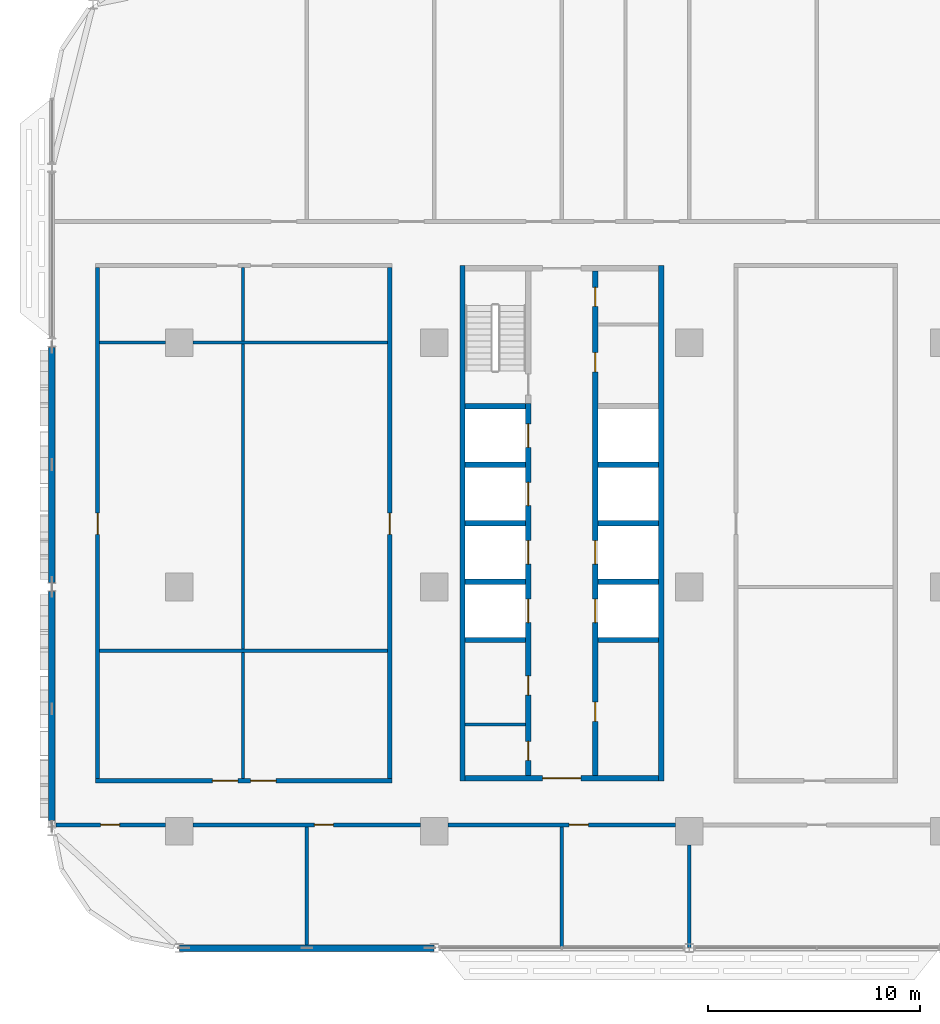
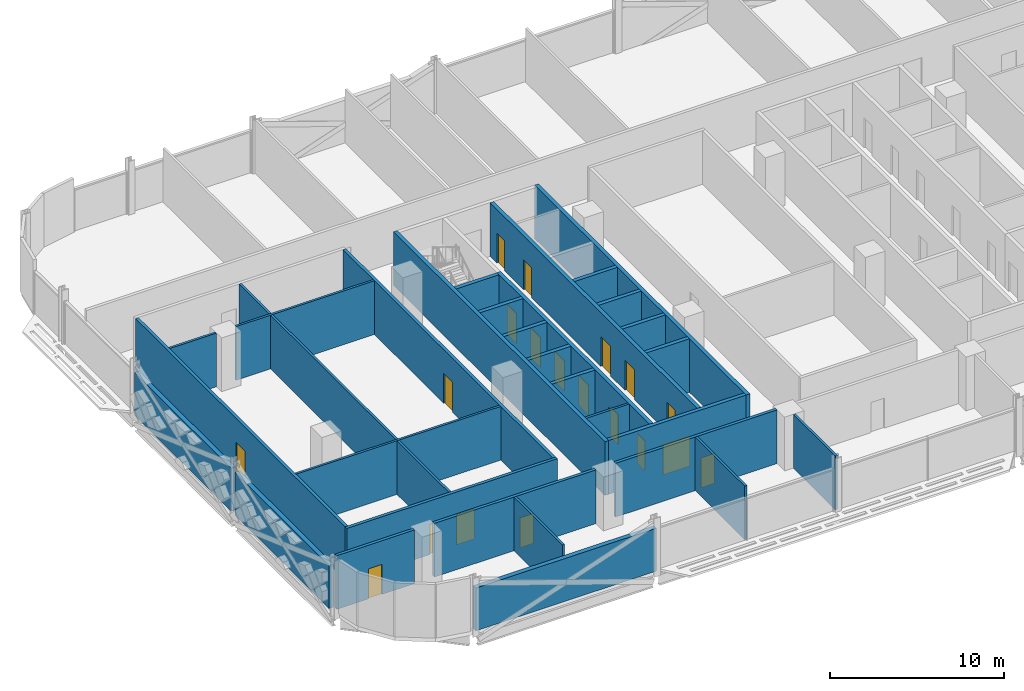
# One storey, part 13 of 28: 31 walls, 19 doors, 19 openings.
"""IFC4 building model written with IfcOpenShell, lengths in metres."""

from ifc_helpers import new_model, si_unit, direction, frame, frame_2d, origin, place, context, subcontext, project, spatial, rectangle, extrude, material, layer, layer_set, type_object, element, fill, save


model = new_model("IFC4")

# Units and contexts
model_context = context("Model", 3, precision=1e-05, world=origin(), true_north=direction((0.0, 1.0)))
body_context = subcontext(model_context, "Body", "Model", "MODEL_VIEW")
ifc_project = project(units=[si_unit("LENGTHUNIT", "METRE"), si_unit("AREAUNIT", "SQUARE_METRE"), si_unit("VOLUMEUNIT", "CUBIC_METRE"), si_unit("PLANEANGLEUNIT", "RADIAN"), si_unit("MASSUNIT", "GRAM", prefix="KILO")], contexts=[model_context])

# Site, building, storey
site_placement = place(None, origin())
site = spatial("IfcSite", under=ifc_project, at=site_placement, CompositionType="ELEMENT")
building_placement = place(site_placement, origin())
building = spatial("IfcBuilding", under=site, at=building_placement, Name="Mahtab Terrace Research Tower", CompositionType="ELEMENT")
storey_placement = place(building_placement, frame((0.0, 0.0, 134.300048828125)))
storey = spatial("IfcBuildingStorey", under=building, at=storey_placement, Name="L31", CompositionType="ELEMENT", Elevation=134.300048828125)

# Walls
ifc_material_1 = material(Name="Gypsum board partition")
ifc_layer_1 = layer(ifc_material_1, 0.14990234375)
ifc_layer_set_1 = layer_set([ifc_layer_1], Name="Core partition 150")
wall_type_1 = type_object("IfcWallType", Name="Core partition 150", PredefinedType="PARTITIONING", material=ifc_layer_set_1)
wall_1_placement = place(storey_placement, frame((-28.550048828125, -6.47509765625, 0.0), z_axis=(0.0, 0.0, 1.0), x_axis=(1.0, 0.0, 0.0)))
element("IfcWall", 1, at=wall_1_placement, inside=storey, type_object=wall_type_1, Name="Core wall A pWS-948", PredefinedType="PARTITIONING", context=body_context, shape_type="SweptSolid", body=[
    extrude(rectangle(XDim=2.85009765625, YDim=0.14990234375, at=frame_2d((1.425048828125, 0.0))), origin(), (0.0, 0.0, 1.0), 3.760009765625),
])
ifc_material_2 = material(Name="Concrete C70/85", Category="concrete")
ifc_layer_2 = layer(ifc_material_2, 0.25)
ifc_layer_set_2 = layer_set([ifc_layer_2], Name="Core wall 250")
wall_type_2 = type_object("IfcWallType", Name="Core wall 250", PredefinedType="SOLIDWALL", material=ifc_layer_set_2)
for number, where, z_axis, x_axis, name in (
    (2, (-28.675048828125, 15.125, 0.0), (0.0, 0.0, 1.0), (0.0, -1.0, 0.0), "Core wall A outerW"),
    (3, (-19.324951171875, -9.125, 0.0), (0.0, 0.0, 1.0), (0.0, 1.0, 0.0), "Core wall A outerE"),
):
    element("IfcWall", number, at=place(storey_placement, frame(where, z_axis=z_axis, x_axis=x_axis)), inside=storey, type_object=wall_type_2, Name=name, PredefinedType="SOLIDWALL", context=body_context, shape_type="SweptSolid", body=[
        extrude(rectangle(XDim=24.25, YDim=0.25, at=frame_2d((12.125, 0.0))), origin(), (0.0, 0.0, 1.0), 3.760009765625),
    ])

# Wall, opening, door
wall_2_placement = place(storey_placement, frame((-19.449951171875, -9.0, 0.0), z_axis=(0.0, 0.0, 1.0), x_axis=(-1.0, 0.0, 0.0)))
wall_2 = element("IfcWall", 4, at=wall_2_placement, inside=storey, type_object=wall_type_2, Name="Core wall A endS", PredefinedType="SOLIDWALL", context=body_context, shape_type="SweptSolid", body=[
    extrude(rectangle(XDim=9.10009765625, YDim=0.25, at=frame_2d((4.550048828125, 0.0))), origin(), (0.0, 0.0, 1.0), 3.760009765625),
])
opening_1_placement = place(wall_2_placement, frame((3.64990234375, 0.0, 0.0)))
opening_1 = element("IfcOpeningElement", 5, at=opening_1_placement, cuts=wall_2, Name="Opening A-S1", PredefinedType="OPENING", context=body_context, shape_type="SweptSolid", body=[
    extrude(rectangle(XDim=1.800048828125, YDim=2.10009765625, at=frame_2d((0.89990234375, 1.050048828125))), frame((0.0, 0.135009765625, 0.0), z_axis=(0.0, -1.0, 0.0), x_axis=(1.0, 0.0, 0.0)), (0.0, 0.0, 1.0), 0.27001953125),
])
ifc_material_3 = material(Name="Steel fire door", Category="steel")
door_type_1 = type_object("IfcDoorType", Name="Lobby double door 1800x2100 1 HR", OperationType="DOUBLE_DOOR_SINGLE_SWING", PredefinedType="DOOR", material=ifc_material_3)
door_1_placement = place(opening_1_placement, origin())
door_1 = element("IfcDoor", 6, at=door_1_placement, inside=storey, type_object=door_type_1, Name="Core entrance door A S", OperationType="DOUBLE_DOOR_SINGLE_SWING", OverallHeight=2.10009765625, OverallWidth=1.800048828125, PredefinedType="DOOR", context=body_context, shape_type="SweptSolid", body=[
    extrude(rectangle(XDim=1.800048828125, YDim=2.10009765625, at=frame_2d((0.89990234375, 1.050048828125))), frame((0.0, 0.02490234375, 0.0), z_axis=(0.0, -1.0, 0.0), x_axis=(1.0, 0.0, 0.0)), (0.0, 0.0, 1.0), 0.050048828125),
])
fill(opening_1, door_1)

# Wall, openings, doors
wall_3_placement = place(storey_placement, frame((-25.574951171875, -8.875, 0.0), z_axis=(0.0, 0.0, 1.0), x_axis=(0.0, 1.0, 0.0)))
wall_3 = element("IfcWall", 7, at=wall_3_placement, inside=storey, type_object=wall_type_2, Name="Core wall A innerWSL", PredefinedType="SOLIDWALL", context=body_context, shape_type="SweptSolid", body=[
    extrude(rectangle(XDim=17.5, YDim=0.25, at=frame_2d((8.75, 0.0))), origin(), (0.0, 0.0, 1.0), 3.760009765625),
])
opening_2_placement = place(wall_3_placement, frame((7.199951171875, 0.0, 0.0)))
opening_2 = element("IfcOpeningElement", 8, at=opening_2_placement, cuts=wall_3, Name="Opening LD01-L31", PredefinedType="OPENING", context=body_context, shape_type="SweptSolid", body=[
    extrude(rectangle(XDim=1.10009765625, YDim=2.10009765625, at=frame_2d((0.550048828125, 1.050048828125))), frame((0.0, 0.135009765625, 0.0), z_axis=(0.0, -1.0, 0.0), x_axis=(1.0, 0.0, 0.0)), (0.0, 0.0, 1.0), 0.27001953125),
])
opening_3_placement = place(wall_3_placement, frame((9.949951171875, 0.0, 0.0)))
opening_3 = element("IfcOpeningElement", 9, at=opening_3_placement, cuts=wall_3, Name="Opening LD02-L31", PredefinedType="OPENING", context=body_context, shape_type="SweptSolid", body=[
    extrude(rectangle(XDim=1.10009765625, YDim=2.10009765625, at=frame_2d((0.550048828125, 1.050048828125))), frame((0.0, 0.135009765625, 0.0), z_axis=(0.0, -1.0, 0.0), x_axis=(1.0, 0.0, 0.0)), (0.0, 0.0, 1.0), 0.27001953125),
])
opening_4_placement = place(wall_3_placement, frame((12.699951171875, 0.0, 0.0)))
opening_4 = element("IfcOpeningElement", 10, at=opening_4_placement, cuts=wall_3, Name="Opening LD03-L31", PredefinedType="OPENING", context=body_context, shape_type="SweptSolid", body=[
    extrude(rectangle(XDim=1.10009765625, YDim=2.10009765625, at=frame_2d((0.550048828125, 1.050048828125))), frame((0.0, 0.135009765625, 0.0), z_axis=(0.0, -1.0, 0.0), x_axis=(1.0, 0.0, 0.0)), (0.0, 0.0, 1.0), 0.27001953125),
])
opening_5_placement = place(wall_3_placement, frame((15.449951171875, 0.0, 0.0)))
opening_5 = element("IfcOpeningElement", 11, at=opening_5_placement, cuts=wall_3, Name="Opening LD04-L31", PredefinedType="OPENING", context=body_context, shape_type="SweptSolid", body=[
    extrude(rectangle(XDim=1.10009765625, YDim=2.10009765625, at=frame_2d((0.550048828125, 1.050048828125))), frame((0.0, 0.135009765625, 0.0), z_axis=(0.0, -1.0, 0.0), x_axis=(1.0, 0.0, 0.0)), (0.0, 0.0, 1.0), 0.27001953125),
])
opening_6_placement = place(wall_3_placement, frame((0.71240234375, 0.0, 0.0)))
opening_6 = element("IfcOpeningElement", 12, at=opening_6_placement, cuts=wall_3, Name="Opening A-R1", PredefinedType="OPENING", context=body_context, shape_type="SweptSolid", body=[
    extrude(rectangle(XDim=0.89990234375, YDim=2.10009765625, at=frame_2d((0.449951171875, 1.050048828125))), frame((0.0, 0.135009765625, 0.0), z_axis=(0.0, -1.0, 0.0), x_axis=(1.0, 0.0, 0.0)), (0.0, 0.0, 1.0), 0.27001953125),
])
opening_7_placement = place(wall_3_placement, frame((3.78759765625, 0.0, 0.0)))
opening_7 = element("IfcOpeningElement", 13, at=opening_7_placement, cuts=wall_3, Name="Opening A-R2", PredefinedType="OPENING", context=body_context, shape_type="SweptSolid", body=[
    extrude(rectangle(XDim=0.89990234375, YDim=2.10009765625, at=frame_2d((0.449951171875, 1.050048828125))), frame((0.0, 0.135009765625, 0.0), z_axis=(0.0, -1.0, 0.0), x_axis=(1.0, 0.0, 0.0)), (0.0, 0.0, 1.0), 0.27001953125),
])
ifc_material_4 = material(Name="Stainless steel AISI 304", Category="steel")
door_type_2 = type_object("IfcDoorType", Name="Landing door 1100x2100", OperationType="DOUBLE_DOOR_SLIDING", PredefinedType="DOOR", material=ifc_material_4)
door_2_placement = place(opening_2_placement, origin())
door_2 = element("IfcDoor", 14, at=door_2_placement, inside=storey, type_object=door_type_2, Name="Landing door LR1 L31", OperationType="DOUBLE_DOOR_SLIDING", OverallHeight=2.10009765625, OverallWidth=1.10009765625, PredefinedType="DOOR", context=body_context, shape_type="SweptSolid", body=[
    extrude(rectangle(XDim=1.10009765625, YDim=2.10009765625, at=frame_2d((0.550048828125, 1.050048828125))), frame((0.0, 0.02490234375, 0.0), z_axis=(0.0, -1.0, 0.0), x_axis=(1.0, 0.0, 0.0)), (0.0, 0.0, 1.0), 0.050048828125),
])
fill(opening_2, door_2)
door_3_placement = place(opening_3_placement, origin())
door_3 = element("IfcDoor", 15, at=door_3_placement, inside=storey, type_object=door_type_2, Name="Landing door LR2 L31", OperationType="DOUBLE_DOOR_SLIDING", OverallHeight=2.10009765625, OverallWidth=1.10009765625, PredefinedType="DOOR", context=body_context, shape_type="SweptSolid", body=[
    extrude(rectangle(XDim=1.10009765625, YDim=2.10009765625, at=frame_2d((0.550048828125, 1.050048828125))), frame((0.0, 0.02490234375, 0.0), z_axis=(0.0, -1.0, 0.0), x_axis=(1.0, 0.0, 0.0)), (0.0, 0.0, 1.0), 0.050048828125),
])
fill(opening_3, door_3)
door_4_placement = place(opening_4_placement, origin())
door_4 = element("IfcDoor", 16, at=door_4_placement, inside=storey, type_object=door_type_2, Name="Landing door LR3 L31", OperationType="DOUBLE_DOOR_SLIDING", OverallHeight=2.10009765625, OverallWidth=1.10009765625, PredefinedType="DOOR", context=body_context, shape_type="SweptSolid", body=[
    extrude(rectangle(XDim=1.10009765625, YDim=2.10009765625, at=frame_2d((0.550048828125, 1.050048828125))), frame((0.0, 0.02490234375, 0.0), z_axis=(0.0, -1.0, 0.0), x_axis=(1.0, 0.0, 0.0)), (0.0, 0.0, 1.0), 0.050048828125),
])
fill(opening_4, door_4)
door_5_placement = place(opening_5_placement, origin())
door_5 = element("IfcDoor", 17, at=door_5_placement, inside=storey, type_object=door_type_2, Name="Landing door LR4 L31", OperationType="DOUBLE_DOOR_SLIDING", OverallHeight=2.10009765625, OverallWidth=1.10009765625, PredefinedType="DOOR", context=body_context, shape_type="SweptSolid", body=[
    extrude(rectangle(XDim=1.10009765625, YDim=2.10009765625, at=frame_2d((0.550048828125, 1.050048828125))), frame((0.0, 0.02490234375, 0.0), z_axis=(0.0, -1.0, 0.0), x_axis=(1.0, 0.0, 0.0)), (0.0, 0.0, 1.0), 0.050048828125),
])
fill(opening_5, door_5)
door_type_3 = type_object("IfcDoorType", Name="Room door 900x2100 1 HR", OperationType="NOTDEFINED", PredefinedType="DOOR", material=ifc_material_3)
door_6_placement = place(opening_6_placement, origin())
door_6 = element("IfcDoor", 18, at=door_6_placement, inside=storey, type_object=door_type_3, Name="Accessible WC door", OperationType="SINGLE_SWING_LEFT", OverallHeight=2.10009765625, OverallWidth=0.89990234375, PredefinedType="DOOR", context=body_context, shape_type="SweptSolid", body=[
    extrude(rectangle(XDim=0.89990234375, YDim=2.10009765625, at=frame_2d((0.449951171875, 1.050048828125))), frame((0.0, 0.02490234375, 0.0), z_axis=(0.0, -1.0, 0.0), x_axis=(1.0, 0.0, 0.0)), (0.0, 0.0, 1.0), 0.050048828125),
])
fill(opening_6, door_6)
door_7_placement = place(opening_7_placement, origin())
door_7 = element("IfcDoor", 19, at=door_7_placement, inside=storey, type_object=door_type_3, Name="WC block door", OperationType="SINGLE_SWING_RIGHT", OverallHeight=2.10009765625, OverallWidth=0.89990234375, PredefinedType="DOOR", context=body_context, shape_type="SweptSolid", body=[
    extrude(rectangle(XDim=0.89990234375, YDim=2.10009765625, at=frame_2d((0.449951171875, 1.050048828125))), frame((0.0, 0.02490234375, 0.0), z_axis=(0.0, -1.0, 0.0), x_axis=(1.0, 0.0, 0.0)), (0.0, 0.0, 1.0), 0.050048828125),
])
fill(opening_7, door_7)

wall_4_placement = place(storey_placement, frame((-22.425048828125, 14.875, 0.0), z_axis=(0.0, 0.0, 1.0), x_axis=(0.0, -1.0, 0.0)))
wall_4 = element("IfcWall", 20, at=wall_4_placement, inside=storey, type_object=wall_type_2, Name="Core wall A innerESLN", PredefinedType="SOLIDWALL", context=body_context, shape_type="SweptSolid", body=[
    extrude(rectangle(XDim=23.75, YDim=0.25, at=frame_2d((11.875, 0.0))), origin(), (0.0, 0.0, 1.0), 3.760009765625),
])
opening_8_placement = place(wall_4_placement, frame((15.449951171875, 0.0, 0.0)))
opening_8 = element("IfcOpeningElement", 21, at=opening_8_placement, cuts=wall_4, Name="Opening LD05-L31", PredefinedType="OPENING", context=body_context, shape_type="SweptSolid", body=[
    extrude(rectangle(XDim=1.10009765625, YDim=2.10009765625, at=frame_2d((0.550048828125, 1.050048828125))), frame((0.0, 0.135009765625, 0.0), z_axis=(0.0, -1.0, 0.0), x_axis=(1.0, 0.0, 0.0)), (0.0, 0.0, 1.0), 0.27001953125),
])
opening_9_placement = place(wall_4_placement, frame((12.699951171875, 0.0, 0.0)))
opening_9 = element("IfcOpeningElement", 22, at=opening_9_placement, cuts=wall_4, Name="Opening LD06-L31", PredefinedType="OPENING", context=body_context, shape_type="SweptSolid", body=[
    extrude(rectangle(XDim=1.10009765625, YDim=2.10009765625, at=frame_2d((0.550048828125, 1.050048828125))), frame((0.0, 0.135009765625, 0.0), z_axis=(0.0, -1.0, 0.0), x_axis=(1.0, 0.0, 0.0)), (0.0, 0.0, 1.0), 0.27001953125),
])
opening_10_placement = place(wall_4_placement, frame((20.300048828125, 0.0, 0.0)))
opening_10 = element("IfcOpeningElement", 23, at=opening_10_placement, cuts=wall_4, Name="Opening A-R3", PredefinedType="OPENING", context=body_context, shape_type="SweptSolid", body=[
    extrude(rectangle(XDim=0.89990234375, YDim=2.10009765625, at=frame_2d((0.449951171875, 1.050048828125))), frame((0.0, 0.135009765625, 0.0), z_axis=(0.0, -1.0, 0.0), x_axis=(1.0, 0.0, 0.0)), (0.0, 0.0, 1.0), 0.27001953125),
])
opening_11_placement = place(wall_4_placement, frame((3.847412109375, 0.0, 0.0)))
opening_11 = element("IfcOpeningElement", 24, at=opening_11_placement, cuts=wall_4, Name="Opening A-R4", PredefinedType="OPENING", context=body_context, shape_type="SweptSolid", body=[
    extrude(rectangle(XDim=0.89990234375, YDim=2.10009765625, at=frame_2d((0.449951171875, 1.050048828125))), frame((0.0, 0.135009765625, 0.0), z_axis=(0.0, -1.0, 0.0), x_axis=(1.0, 0.0, 0.0)), (0.0, 0.0, 1.0), 0.27001953125),
])
opening_12_placement = place(wall_4_placement, frame((0.7724609375, 0.0, 0.0)))
opening_12 = element("IfcOpeningElement", 25, at=opening_12_placement, cuts=wall_4, Name="Opening A-R5", PredefinedType="OPENING", context=body_context, shape_type="SweptSolid", body=[
    extrude(rectangle(XDim=0.89990234375, YDim=2.10009765625, at=frame_2d((0.449951171875, 1.050048828125))), frame((0.0, 0.135009765625, 0.0), z_axis=(0.0, -1.0, 0.0), x_axis=(1.0, 0.0, 0.0)), (0.0, 0.0, 1.0), 0.27001953125),
])
door_8_placement = place(opening_8_placement, origin())
door_8 = element("IfcDoor", 26, at=door_8_placement, inside=storey, type_object=door_type_2, Name="Landing door LR5 L31", OperationType="DOUBLE_DOOR_SLIDING", OverallHeight=2.10009765625, OverallWidth=1.10009765625, PredefinedType="DOOR", context=body_context, shape_type="SweptSolid", body=[
    extrude(rectangle(XDim=1.10009765625, YDim=2.10009765625, at=frame_2d((0.550048828125, 1.050048828125))), frame((0.0, 0.02490234375, 0.0), z_axis=(0.0, -1.0, 0.0), x_axis=(1.0, 0.0, 0.0)), (0.0, 0.0, 1.0), 0.050048828125),
])
fill(opening_8, door_8)
door_9_placement = place(opening_9_placement, origin())
door_9 = element("IfcDoor", 27, at=door_9_placement, inside=storey, type_object=door_type_2, Name="Landing door LR6 L31", OperationType="DOUBLE_DOOR_SLIDING", OverallHeight=2.10009765625, OverallWidth=1.10009765625, PredefinedType="DOOR", context=body_context, shape_type="SweptSolid", body=[
    extrude(rectangle(XDim=1.10009765625, YDim=2.10009765625, at=frame_2d((0.550048828125, 1.050048828125))), frame((0.0, 0.02490234375, 0.0), z_axis=(0.0, -1.0, 0.0), x_axis=(1.0, 0.0, 0.0)), (0.0, 0.0, 1.0), 0.050048828125),
])
fill(opening_9, door_9)
door_10_placement = place(opening_10_placement, origin())
door_10 = element("IfcDoor", 28, at=door_10_placement, inside=storey, type_object=door_type_3, Name="Gas cylinder store door", OperationType="SINGLE_SWING_LEFT", OverallHeight=2.10009765625, OverallWidth=0.89990234375, PredefinedType="DOOR", context=body_context, shape_type="SweptSolid", body=[
    extrude(rectangle(XDim=0.89990234375, YDim=2.10009765625, at=frame_2d((0.449951171875, 1.050048828125))), frame((0.0, 0.02490234375, 0.0), z_axis=(0.0, -1.0, 0.0), x_axis=(1.0, 0.0, 0.0)), (0.0, 0.0, 1.0), 0.050048828125),
])
fill(opening_10, door_10)
door_11_placement = place(opening_11_placement, origin())
door_11 = element("IfcDoor", 29, at=door_11_placement, inside=storey, type_object=door_type_3, Name="Pantry door", OperationType="SINGLE_SWING_RIGHT", OverallHeight=2.10009765625, OverallWidth=0.89990234375, PredefinedType="DOOR", context=body_context, shape_type="SweptSolid", body=[
    extrude(rectangle(XDim=0.89990234375, YDim=2.10009765625, at=frame_2d((0.449951171875, 1.050048828125))), frame((0.0, 0.02490234375, 0.0), z_axis=(0.0, -1.0, 0.0), x_axis=(1.0, 0.0, 0.0)), (0.0, 0.0, 1.0), 0.050048828125),
])
fill(opening_11, door_11)
door_12_placement = place(opening_12_placement, origin())
door_12 = element("IfcDoor", 30, at=door_12_placement, inside=storey, type_object=door_type_3, Name="Linen store door", OperationType="SINGLE_SWING_LEFT", OverallHeight=2.10009765625, OverallWidth=0.89990234375, PredefinedType="DOOR", context=body_context, shape_type="SweptSolid", body=[
    extrude(rectangle(XDim=0.89990234375, YDim=2.10009765625, at=frame_2d((0.449951171875, 1.050048828125))), frame((0.0, 0.02490234375, 0.0), z_axis=(0.0, -1.0, 0.0), x_axis=(1.0, 0.0, 0.0)), (0.0, 0.0, 1.0), 0.050048828125),
])
fill(opening_12, door_12)

# Walls
for number, where, z_axis, x_axis, name in (
    (31, (-28.550048828125, -2.5, 0.0), (0.0, 0.0, 1.0), (1.0, 0.0, 0.0), "Core wall A divW0"),
    (32, (-28.550048828125, 0.25, 0.0), (0.0, 0.0, 1.0), (1.0, 0.0, 0.0), "Core wall A divW1"),
    (33, (-28.550048828125, 3.0, 0.0), (0.0, 0.0, 1.0), (1.0, 0.0, 0.0), "Core wall A divW2"),
    (34, (-28.550048828125, 5.75, 0.0), (0.0, 0.0, 1.0), (1.0, 0.0, 0.0), "Core wall A divW3"),
    (35, (-28.550048828125, 8.5, 0.0), (0.0, 0.0, 1.0), (1.0, 0.0, 0.0), "Core wall A divW4"),
    (36, (-22.300048828125, -2.5, 0.0), (0.0, 0.0, 1.0), (1.0, 0.0, 0.0), "Core wall A divE0"),
    (37, (-22.300048828125, 0.25, 0.0), (0.0, 0.0, 1.0), (1.0, 0.0, 0.0), "Core wall A divE1"),
    (38, (-22.300048828125, 3.0, 0.0), (0.0, 0.0, 1.0), (1.0, 0.0, 0.0), "Core wall A divE2"),
    (39, (-22.300048828125, 5.75, 0.0), (0.0, 0.0, 1.0), (1.0, 0.0, 0.0), "Core wall A divE3"),
):
    element("IfcWall", number, at=place(storey_placement, frame(where, z_axis=z_axis, x_axis=x_axis)), inside=storey, type_object=wall_type_2, Name=name, PredefinedType="SOLIDWALL", context=body_context, shape_type="SweptSolid", body=[
        extrude(rectangle(XDim=2.85009765625, YDim=0.25, at=frame_2d((1.425048828125, 0.0))), origin(), (0.0, 0.0, 1.0), 3.760009765625),
    ])
ifc_material_5 = material(Name="Black aluminium cladding panel", Category="aluminium")
ifc_layer_3 = layer(ifc_material_5, 0.300048828125)
ifc_layer_set_3 = layer_set([ifc_layer_3], Name="Opaque facade wall 300")
wall_type_3 = type_object("IfcWallType", Name="Opaque facade wall 300", PredefinedType="NOTDEFINED", material=ifc_layer_set_3)
wall_5_placement = place(storey_placement, frame((-48.0, 11.281982421875, 0.0), z_axis=(0.0, 0.0, 1.0), x_axis=(0.0, -1.0, 0.0)))
element("IfcWall", 40, at=wall_5_placement, inside=storey, type_object=wall_type_3, Name="Opaque facade wall L31 W17", PredefinedType="NOTDEFINED", context=body_context, shape_type="SweptSolid", body=[
    extrude(rectangle(XDim=11.06396484375, YDim=0.300048828125, at=frame_2d((5.531982421875, 0.0))), origin(), (0.0, 0.0, 1.0), 3.0029296875),
])
wall_6_placement = place(storey_placement, frame((-48.0, -0.218017578125, 0.0), z_axis=(0.0, 0.0, 1.0), x_axis=(0.0, -1.0, 0.0)))
element("IfcWall", 41, at=wall_6_placement, inside=storey, type_object=wall_type_3, Name="Opaque facade wall L31 W18", PredefinedType="NOTDEFINED", context=body_context, shape_type="SweptSolid", body=[
    extrude(rectangle(XDim=10.781982421875, YDim=0.300048828125, at=frame_2d((5.39111328125, 0.0))), origin(), (0.0, 0.0, 1.0), 3.0029296875),
])
wall_7_placement = place(storey_placement, frame((-41.982177734375, -17.0, 0.0), z_axis=(0.0, 0.0, 1.0), x_axis=(1.0, 0.0, 0.0)))
element("IfcWall", 42, at=wall_7_placement, inside=storey, type_object=wall_type_3, Name="Opaque facade wall L31 S24", PredefinedType="NOTDEFINED", context=body_context, shape_type="SweptSolid", body=[
    extrude(rectangle(XDim=11.96435546875, YDim=0.300048828125, at=frame_2d((5.982177734375, 0.0))), origin(), (0.0, 0.0, 1.0), 3.0029296875),
])

# Wall, opening, door
ifc_material_6 = material(Name="Gypsum board corridor wall on steel studs", Category="steel")
ifc_layer_4 = layer(ifc_material_6, 0.199951171875)
ifc_layer_set_4 = layer_set([ifc_layer_4], Name="WALL CORRIDOR 200")
wall_type_4 = type_object("IfcWallType", Name="WALL CORRIDOR 200", PredefinedType="PARTITIONING", material=ifc_layer_set_4)
wall_8_placement = place(storey_placement, frame((-47.807373046875, -11.199951171875, 0.0), z_axis=(0.0, 0.0, 1.0), x_axis=(1.0, 0.0, 0.0)))
wall_8 = element("IfcWall", 43, at=wall_8_placement, inside=storey, type_object=wall_type_4, Name="L31-W001", PredefinedType="PARTITIONING", context=body_context, shape_type="SweptSolid", body=[
    extrude(rectangle(XDim=5.157470703125, YDim=0.199951171875, at=frame_2d((2.57861328125, 0.0))), origin(), (0.0, 0.0, 1.0), 3.760009765625),
])
opening_13_placement = place(wall_8_placement, frame((2.10009765625, 0.0, 0.0)))
opening_13 = element("IfcOpeningElement", 44, at=opening_13_placement, cuts=wall_8, Name="Opening L31-101", PredefinedType="OPENING", context=body_context, shape_type="SweptSolid", body=[
    extrude(rectangle(XDim=0.89990234375, YDim=2.10009765625, at=frame_2d((0.449951171875, 1.050048828125))), frame((0.0, 0.10986328125, 0.0), z_axis=(0.0, -1.0, 0.0), x_axis=(1.0, 0.0, 0.0)), (0.0, 0.0, 1.0), 0.219970703125),
])
ifc_material_7 = material(Name="Timber door leaf in steel frame", Category="steel")
door_type_4 = type_object("IfcDoorType", Name="DOOR 0900X2100 FD30S", OperationType="SINGLE_SWING_LEFT", PredefinedType="DOOR", material=ifc_material_7)
door_13_placement = place(opening_13_placement, origin())
door_13 = element("IfcDoor", 45, at=door_13_placement, inside=storey, type_object=door_type_4, Name="Door L31-101", OperationType="SINGLE_SWING_RIGHT", OverallHeight=2.10009765625, OverallWidth=0.89990234375, PredefinedType="DOOR", context=body_context, shape_type="SweptSolid", body=[
    extrude(rectangle(XDim=0.89990234375, YDim=2.10009765625, at=frame_2d((0.449951171875, 1.050048828125))), frame((0.0, 0.02490234375, 0.0), z_axis=(0.0, -1.0, 0.0), x_axis=(1.0, 0.0, 0.0)), (0.0, 0.0, 1.0), 0.050048828125),
])
fill(opening_13, door_13)

wall_9_placement = place(storey_placement, frame((-41.35009765625, -11.199951171875, 0.0), z_axis=(0.0, 0.0, 1.0), x_axis=(1.0, 0.0, 0.0)))
wall_9 = element("IfcWall", 46, at=wall_9_placement, inside=storey, type_object=wall_type_4, Name="L31-W002", PredefinedType="PARTITIONING", context=body_context, shape_type="SweptSolid", body=[
    extrude(rectangle(XDim=10.7001953125, YDim=0.199951171875, at=frame_2d((5.35009765625, 0.0))), origin(), (0.0, 0.0, 1.0), 3.760009765625),
])
opening_14_placement = place(wall_9_placement, frame((5.699951171875, 0.0, 0.0)))
opening_14 = element("IfcOpeningElement", 47, at=opening_14_placement, cuts=wall_9, Name="Opening L31-102", PredefinedType="OPENING", context=body_context, shape_type="SweptSolid", body=[
    extrude(rectangle(XDim=0.89990234375, YDim=2.10009765625, at=frame_2d((0.449951171875, 1.050048828125))), frame((0.0, 0.10986328125, 0.0), z_axis=(0.0, -1.0, 0.0), x_axis=(1.0, 0.0, 0.0)), (0.0, 0.0, 1.0), 0.219970703125),
])
door_14_placement = place(opening_14_placement, origin())
door_14 = element("IfcDoor", 48, at=door_14_placement, inside=storey, type_object=door_type_4, Name="Door L31-102", OperationType="SINGLE_SWING_LEFT", OverallHeight=2.10009765625, OverallWidth=0.89990234375, PredefinedType="DOOR", context=body_context, shape_type="SweptSolid", body=[
    extrude(rectangle(XDim=0.89990234375, YDim=2.10009765625, at=frame_2d((0.449951171875, 1.050048828125))), frame((0.0, 0.02490234375, 0.0), z_axis=(0.0, -1.0, 0.0), x_axis=(1.0, 0.0, 0.0)), (0.0, 0.0, 1.0), 0.050048828125),
])
fill(opening_14, door_14)

wall_10_placement = place(storey_placement, frame((-29.35009765625, -11.199951171875, 0.0), z_axis=(0.0, 0.0, 1.0), x_axis=(1.0, 0.0, 0.0)))
wall_10 = element("IfcWall", 49, at=wall_10_placement, inside=storey, type_object=wall_type_4, Name="L31-W003", PredefinedType="PARTITIONING", context=body_context, shape_type="SweptSolid", body=[
    extrude(rectangle(XDim=10.7001953125, YDim=0.199951171875, at=frame_2d((5.35009765625, 0.0))), origin(), (0.0, 0.0, 1.0), 3.760009765625),
])
opening_15_placement = place(wall_10_placement, frame((5.699951171875, 0.0, 0.0)))
opening_15 = element("IfcOpeningElement", 50, at=opening_15_placement, cuts=wall_10, Name="Opening L31-103", PredefinedType="OPENING", context=body_context, shape_type="SweptSolid", body=[
    extrude(rectangle(XDim=0.89990234375, YDim=2.10009765625, at=frame_2d((0.449951171875, 1.050048828125))), frame((0.0, 0.10986328125, 0.0), z_axis=(0.0, -1.0, 0.0), x_axis=(1.0, 0.0, 0.0)), (0.0, 0.0, 1.0), 0.219970703125),
])
door_15_placement = place(opening_15_placement, origin())
door_15 = element("IfcDoor", 51, at=door_15_placement, inside=storey, type_object=door_type_4, Name="Door L31-103", OperationType="SINGLE_SWING_LEFT", OverallHeight=2.10009765625, OverallWidth=0.89990234375, PredefinedType="DOOR", context=body_context, shape_type="SweptSolid", body=[
    extrude(rectangle(XDim=0.89990234375, YDim=2.10009765625, at=frame_2d((0.449951171875, 1.050048828125))), frame((0.0, 0.02490234375, 0.0), z_axis=(0.0, -1.0, 0.0), x_axis=(1.0, 0.0, 0.0)), (0.0, 0.0, 1.0), 0.050048828125),
])
fill(opening_15, door_15)

# Wall, openings, doors
wall_11_placement = place(storey_placement, frame((-45.949951171875, -9.125, 0.0), z_axis=(0.0, 0.0, 1.0), x_axis=(1.0, 0.0, 0.0)))
wall_11 = element("IfcWall", 52, at=wall_11_placement, inside=storey, type_object=wall_type_4, Name="L31-W010", PredefinedType="PARTITIONING", context=body_context, shape_type="SweptSolid", body=[
    extrude(rectangle(XDim=13.949951171875, YDim=0.199951171875, at=frame_2d((6.97509765625, 0.0))), origin(), (0.0, 0.0, 1.0), 3.760009765625),
])
opening_16_placement = place(wall_11_placement, frame((5.5, 0.0, 0.0)))
opening_16 = element("IfcOpeningElement", 53, at=opening_16_placement, cuts=wall_11, Name="Opening L31-111", PredefinedType="OPENING", context=body_context, shape_type="SweptSolid", body=[
    extrude(rectangle(XDim=1.199951171875, YDim=2.10009765625, at=frame_2d((0.60009765625, 1.050048828125))), frame((0.0, 0.10986328125, 0.0), z_axis=(0.0, -1.0, 0.0), x_axis=(1.0, 0.0, 0.0)), (0.0, 0.0, 1.0), 0.219970703125),
])
opening_17_placement = place(wall_11_placement, frame((7.300048828125, 0.0, 0.0)))
opening_17 = element("IfcOpeningElement", 54, at=opening_17_placement, cuts=wall_11, Name="Opening L31-112", PredefinedType="OPENING", context=body_context, shape_type="SweptSolid", body=[
    extrude(rectangle(XDim=1.199951171875, YDim=2.10009765625, at=frame_2d((0.60009765625, 1.050048828125))), frame((0.0, 0.10986328125, 0.0), z_axis=(0.0, -1.0, 0.0), x_axis=(1.0, 0.0, 0.0)), (0.0, 0.0, 1.0), 0.219970703125),
])
door_type_5 = type_object("IfcDoorType", Name="DOOR 1200X2100 FD30S", OperationType="SINGLE_SWING_LEFT", PredefinedType="DOOR", material=ifc_material_7)
door_16_placement = place(opening_16_placement, origin())
door_16 = element("IfcDoor", 55, at=door_16_placement, inside=storey, type_object=door_type_5, Name="Door L31-111", OperationType="SINGLE_SWING_LEFT", OverallHeight=2.10009765625, OverallWidth=1.199951171875, PredefinedType="DOOR", context=body_context, shape_type="SweptSolid", body=[
    extrude(rectangle(XDim=1.199951171875, YDim=2.10009765625, at=frame_2d((0.60009765625, 1.050048828125))), frame((0.0, 0.02490234375, 0.0), z_axis=(0.0, -1.0, 0.0), x_axis=(1.0, 0.0, 0.0)), (0.0, 0.0, 1.0), 0.050048828125),
])
fill(opening_16, door_16)
door_17_placement = place(opening_17_placement, origin())
door_17 = element("IfcDoor", 56, at=door_17_placement, inside=storey, type_object=door_type_5, Name="Door L31-112", OperationType="SINGLE_SWING_RIGHT", OverallHeight=2.10009765625, OverallWidth=1.199951171875, PredefinedType="DOOR", context=body_context, shape_type="SweptSolid", body=[
    extrude(rectangle(XDim=1.199951171875, YDim=2.10009765625, at=frame_2d((0.60009765625, 1.050048828125))), frame((0.0, 0.02490234375, 0.0), z_axis=(0.0, -1.0, 0.0), x_axis=(1.0, 0.0, 0.0)), (0.0, 0.0, 1.0), 0.050048828125),
])
fill(opening_17, door_17)

# Wall, opening, door
wall_12_placement = place(storey_placement, frame((-45.85009765625, -9.02490234375, 0.0), z_axis=(0.0, 0.0, 1.0), x_axis=(0.0, 1.0, 0.0)))
wall_12 = element("IfcWall", 57, at=wall_12_placement, inside=storey, type_object=wall_type_4, Name="L31-W027", PredefinedType="PARTITIONING", context=body_context, shape_type="SweptSolid", body=[
    extrude(rectangle(XDim=24.0498046875, YDim=0.199951171875, at=frame_2d((12.02490234375, 0.0))), origin(), (0.0, 0.0, 1.0), 3.760009765625),
])
opening_18_placement = place(wall_12_placement, frame((11.5, 0.0, 0.0)))
opening_18 = element("IfcOpeningElement", 58, at=opening_18_placement, cuts=wall_12, Name="Opening L31-117", PredefinedType="OPENING", context=body_context, shape_type="SweptSolid", body=[
    extrude(rectangle(XDim=1.0, YDim=2.10009765625, at=frame_2d((0.5, 1.050048828125))), frame((0.0, 0.10986328125, 0.0), z_axis=(0.0, -1.0, 0.0), x_axis=(1.0, 0.0, 0.0)), (0.0, 0.0, 1.0), 0.219970703125),
])
door_type_6 = type_object("IfcDoorType", Name="DOOR 1000X2100 FD30S", OperationType="SINGLE_SWING_LEFT", PredefinedType="DOOR", material=ifc_material_7)
door_18_placement = place(opening_18_placement, origin())
door_18 = element("IfcDoor", 59, at=door_18_placement, inside=storey, type_object=door_type_6, Name="Door L31-117", OperationType="SINGLE_SWING_RIGHT", OverallHeight=2.10009765625, OverallWidth=1.0, PredefinedType="DOOR", context=body_context, shape_type="SweptSolid", body=[
    extrude(rectangle(XDim=1.0, YDim=2.10009765625, at=frame_2d((0.5, 1.050048828125))), frame((0.0, 0.02490234375, 0.0), z_axis=(0.0, -1.0, 0.0), x_axis=(1.0, 0.0, 0.0)), (0.0, 0.0, 1.0), 0.050048828125),
])
fill(opening_18, door_18)

wall_13_placement = place(storey_placement, frame((-32.10009765625, -9.02490234375, 0.0), z_axis=(0.0, 0.0, 1.0), x_axis=(0.0, 1.0, 0.0)))
wall_13 = element("IfcWall", 60, at=wall_13_placement, inside=storey, type_object=wall_type_4, Name="L31-W031", PredefinedType="PARTITIONING", context=body_context, shape_type="SweptSolid", body=[
    extrude(rectangle(XDim=24.0498046875, YDim=0.199951171875, at=frame_2d((12.02490234375, 0.0))), origin(), (0.0, 0.0, 1.0), 3.760009765625),
])
opening_19_placement = place(wall_13_placement, frame((11.5, 0.0, 0.0)))
opening_19 = element("IfcOpeningElement", 61, at=opening_19_placement, cuts=wall_13, Name="Opening L31-118", PredefinedType="OPENING", context=body_context, shape_type="SweptSolid", body=[
    extrude(rectangle(XDim=1.0, YDim=2.10009765625, at=frame_2d((0.5, 1.050048828125))), frame((0.0, 0.10986328125, 0.0), z_axis=(0.0, -1.0, 0.0), x_axis=(1.0, 0.0, 0.0)), (0.0, 0.0, 1.0), 0.219970703125),
])
door_19_placement = place(opening_19_placement, origin())
door_19 = element("IfcDoor", 62, at=door_19_placement, inside=storey, type_object=door_type_6, Name="Door L31-118", OperationType="SINGLE_SWING_LEFT", OverallHeight=2.10009765625, OverallWidth=1.0, PredefinedType="DOOR", context=body_context, shape_type="SweptSolid", body=[
    extrude(rectangle(XDim=1.0, YDim=2.10009765625, at=frame_2d((0.5, 1.050048828125))), frame((0.0, 0.02490234375, 0.0), z_axis=(0.0, -1.0, 0.0), x_axis=(1.0, 0.0, 0.0)), (0.0, 0.0, 1.0), 0.050048828125),
])
fill(opening_19, door_19)

# Walls
ifc_material_8 = material(Name="Gypsum board partition on steel studs", Category="steel")
ifc_layer_5 = layer(ifc_material_8, 0.14990234375)
ifc_layer_set_5 = layer_set([ifc_layer_5], Name="WALL PARTITION 150")
wall_type_5 = type_object("IfcWallType", Name="WALL PARTITION 150", PredefinedType="PARTITIONING", material=ifc_layer_set_5)
wall_14_placement = place(storey_placement, frame((-45.75, -3.0, 0.0), z_axis=(0.0, 0.0, 1.0), x_axis=(1.0, 0.0, 0.0)))
element("IfcWall", 63, at=wall_14_placement, inside=storey, type_object=wall_type_5, Name="L31-W014", PredefinedType="PARTITIONING", context=body_context, shape_type="SweptSolid", body=[
    extrude(rectangle(XDim=13.550048828125, YDim=0.14990234375, at=frame_2d((6.77490234375, 0.0))), origin(), (0.0, 0.0, 1.0), 3.760009765625),
])
wall_15_placement = place(storey_placement, frame((-45.75, 11.5, 0.0), z_axis=(0.0, 0.0, 1.0), x_axis=(1.0, 0.0, 0.0)))
element("IfcWall", 64, at=wall_15_placement, inside=storey, type_object=wall_type_5, Name="L31-W019", PredefinedType="PARTITIONING", context=body_context, shape_type="SweptSolid", body=[
    extrude(rectangle(XDim=3.10009765625, YDim=0.14990234375, at=frame_2d((1.550048828125, 0.0))), origin(), (0.0, 0.0, 1.0), 3.760009765625),
])
wall_16_placement = place(storey_placement, frame((-41.35009765625, 11.5, 0.0), z_axis=(0.0, 0.0, 1.0), x_axis=(1.0, 0.0, 0.0)))
element("IfcWall", 65, at=wall_16_placement, inside=storey, type_object=wall_type_5, Name="L31-W020", PredefinedType="PARTITIONING", context=body_context, shape_type="SweptSolid", body=[
    extrude(rectangle(XDim=9.150146484375, YDim=0.14990234375, at=frame_2d((4.5751953125, 0.0))), origin(), (0.0, 0.0, 1.0), 3.760009765625),
])
wall_17_placement = place(storey_placement, frame((-39.0, -9.02490234375, 0.0), z_axis=(0.0, 0.0, 1.0), x_axis=(0.0, 1.0, 0.0)))
element("IfcWall", 66, at=wall_17_placement, inside=storey, type_object=wall_type_5, Name="L31-W028", PredefinedType="PARTITIONING", context=body_context, shape_type="SweptSolid", body=[
    extrude(rectangle(XDim=24.0498046875, YDim=0.14990234375, at=frame_2d((12.02490234375, 0.0))), origin(), (0.0, 0.0, 1.0), 3.760009765625),
])
wall_18_placement = place(storey_placement, frame((-36.0, -16.85009765625, 0.0), z_axis=(0.0, 0.0, 1.0), x_axis=(0.0, 1.0, 0.0)))
element("IfcWall", 67, at=wall_18_placement, inside=storey, type_object=wall_type_5, Name="L31-W029", PredefinedType="PARTITIONING", context=body_context, shape_type="SweptSolid", body=[
    extrude(rectangle(XDim=5.550048828125, YDim=0.14990234375, at=frame_2d((2.77490234375, 0.0))), origin(), (0.0, 0.0, 1.0), 3.760009765625),
])
wall_19_placement = place(storey_placement, frame((-24.0, -16.97509765625, 0.0), z_axis=(0.0, 0.0, 1.0), x_axis=(0.0, 1.0, 0.0)))
element("IfcWall", 68, at=wall_19_placement, inside=storey, type_object=wall_type_5, Name="L31-W033", PredefinedType="PARTITIONING", context=body_context, shape_type="SweptSolid", body=[
    extrude(rectangle(XDim=5.675048828125, YDim=0.14990234375, at=frame_2d((2.83740234375, 0.0))), origin(), (0.0, 0.0, 1.0), 3.760009765625),
])
wall_20_placement = place(storey_placement, frame((-18.0, -16.97509765625, 0.0), z_axis=(0.0, 0.0, 1.0), x_axis=(0.0, 1.0, 0.0)))
element("IfcWall", 69, at=wall_20_placement, inside=storey, type_object=wall_type_5, Name="L31-W036", PredefinedType="PARTITIONING", context=body_context, shape_type="SweptSolid", body=[
    extrude(rectangle(XDim=4.8251953125, YDim=0.14990234375, at=frame_2d((2.41259765625, 0.0))), origin(), (0.0, 0.0, 1.0), 3.760009765625),
])

save(model, "model.ifc")
